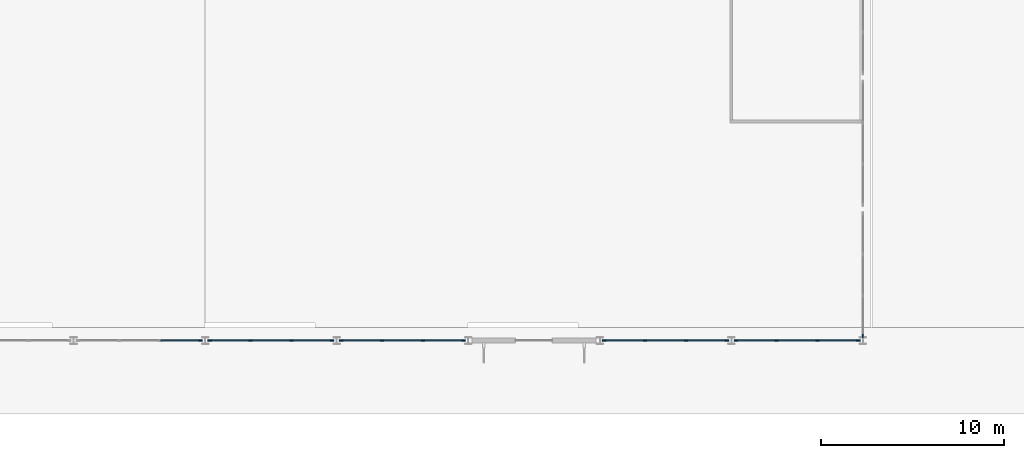
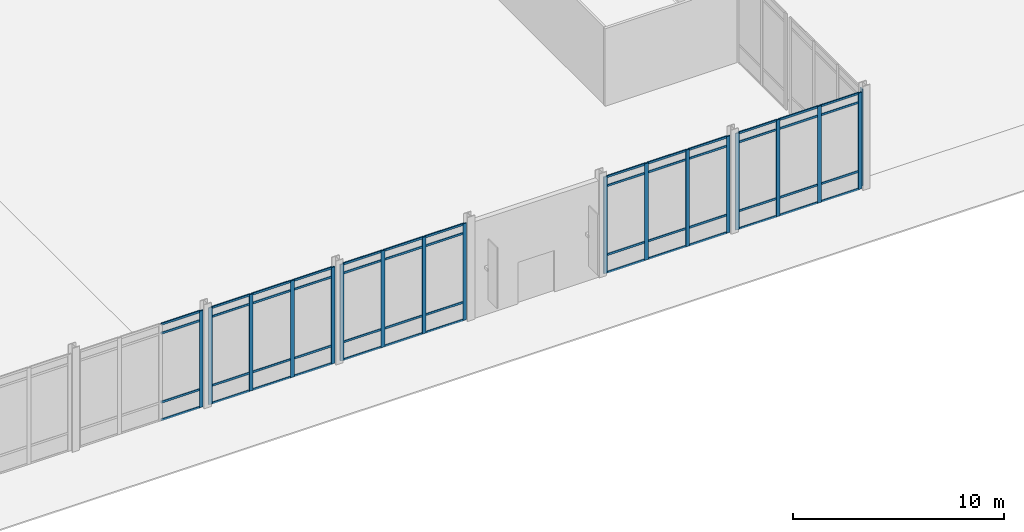
# One storey, part 24 of 104: 70 members, 6 elements without a shape of their own.
"""IFC4 building model written with IfcOpenShell, lengths in metres."""

from ifc_helpers import new_model, si_unit, direction, frame, origin, origin_2d, place, context, subcontext, project, spatial, rectangle, extrude, material, material_profile, profile_set, type_object, element, aggregate, save


model = new_model("IFC4")

# Units and contexts
model_context = context("Model", 3, precision=1e-05, world=origin(), true_north=direction((0.0, 1.0)))
body_context = subcontext(model_context, "Body", "Model", "MODEL_VIEW")
ifc_project = project(units=[si_unit("LENGTHUNIT", "METRE"), si_unit("AREAUNIT", "SQUARE_METRE"), si_unit("VOLUMEUNIT", "CUBIC_METRE"), si_unit("PLANEANGLEUNIT", "RADIAN"), si_unit("MASSUNIT", "GRAM", prefix="KILO")], contexts=[model_context])

# Site, building, storey
site_placement = place(None, origin())
site = spatial("IfcSite", under=ifc_project, at=site_placement, CompositionType="ELEMENT")
building_placement = place(site_placement, origin())
building = spatial("IfcBuilding", under=site, at=building_placement, Name="Vaelcorin Mobility Hub", CompositionType="ELEMENT")
storey_placement = place(building_placement, origin())
storey = spatial("IfcBuildingStorey", under=building, at=storey_placement, Name="L00", CompositionType="ELEMENT", Elevation=0.0)

# Curtain wall, member
ifc_material = material(Name="Anodised aluminium 6063-T6", Category="aluminium")
curtain_wall_type_1 = type_object("IfcCurtainWallType", Name="CW-CONC-A", PredefinedType="NOTDEFINED", material=ifc_material)
curtain_wall_1_placement = place(storey_placement, origin())
curtain_wall_1 = element("IfcCurtainWall", 1, at=curtain_wall_1_placement, inside=storey, type_object=curtain_wall_type_1, Name="L00 Curtain Wall CW-V1-S-05", PredefinedType="NOTDEFINED")
ifc_material_profile_1 = material_profile(ifc_material, rectangle(XDim=0.070068359375, YDim=0.199951171875, at=origin_2d()), Name="ALU-M70X200")
ifc_profile_set_1 = profile_set([ifc_material_profile_1], Name="Anodised aluminium 6063-T6")
member_type_1 = type_object("IfcMemberType", Name="CW-MULL-200", PredefinedType="MULLION", material=ifc_profile_set_1)
member_1_placement = place(storey_placement, frame((71.75, 6.0, 0.0), z_axis=(0.0, 0.0, 1.0), x_axis=(0.0, -1.0, 0.0)))
member_1 = element("IfcMember", 2, at=member_1_placement, type_object=member_type_1, Name="CW1 mullion 1", PredefinedType="MULLION", context=body_context, shape_type="SweptSolid", body=[
    extrude(rectangle(XDim=0.070068359375, YDim=0.199951171875, at=origin_2d()), origin(), (0.0, 0.0, 1.0), 5.580078125),
])

# Curtain wall, members
curtain_wall_2_placement = place(storey_placement, origin())
curtain_wall_2 = element("IfcCurtainWall", 3, at=curtain_wall_2_placement, inside=storey, type_object=curtain_wall_type_1, Name="L00 Curtain Wall CW-V1-S-06", PredefinedType="NOTDEFINED")
member_2_placement = place(storey_placement, frame((78.949951171875, 6.0, 0.0), z_axis=(0.0, 0.0, 1.0), x_axis=(0.0, -1.0, 0.0)))
member_2 = element("IfcMember", 4, at=member_2_placement, type_object=member_type_1, Name="CW1 mullion 1", PredefinedType="MULLION", context=body_context, shape_type="SweptSolid", body=[
    extrude(rectangle(XDim=0.070068359375, YDim=0.199951171875, at=origin_2d()), origin(), (0.0, 0.0, 1.0), 5.580078125),
])
member_3_placement = place(storey_placement, frame((76.7265625, 6.0, 0.0), z_axis=(0.0, 0.0, 1.0), x_axis=(0.0, -1.0, 0.0)))
member_3 = element("IfcMember", 5, at=member_3_placement, type_object=member_type_1, Name="CW1 mullion 2", PredefinedType="MULLION", context=body_context, shape_type="SweptSolid", body=[
    extrude(rectangle(XDim=0.070068359375, YDim=0.199951171875, at=origin_2d()), origin(), (0.0, 0.0, 1.0), 5.580078125),
])
member_4_placement = place(storey_placement, frame((74.473388671875, 6.0, 0.0), z_axis=(0.0, 0.0, 1.0), x_axis=(0.0, -1.0, 0.0)))
member_4 = element("IfcMember", 6, at=member_4_placement, type_object=member_type_1, Name="CW1 mullion 3", PredefinedType="MULLION", context=body_context, shape_type="SweptSolid", body=[
    extrude(rectangle(XDim=0.070068359375, YDim=0.199951171875, at=origin_2d()), origin(), (0.0, 0.0, 1.0), 5.580078125),
])
member_5_placement = place(storey_placement, frame((72.25, 6.0, 0.0), z_axis=(0.0, 0.0, 1.0), x_axis=(0.0, -1.0, 0.0)))
member_5 = element("IfcMember", 7, at=member_5_placement, type_object=member_type_1, Name="CW1 mullion 4", PredefinedType="MULLION", context=body_context, shape_type="SweptSolid", body=[
    extrude(rectangle(XDim=0.070068359375, YDim=0.199951171875, at=origin_2d()), origin(), (0.0, 0.0, 1.0), 5.580078125),
])

curtain_wall_3_placement = place(storey_placement, origin())
curtain_wall_3 = element("IfcCurtainWall", 8, at=curtain_wall_3_placement, inside=storey, type_object=curtain_wall_type_1, Name="L00 Curtain Wall CW-V1-S-07", PredefinedType="NOTDEFINED")
member_6_placement = place(storey_placement, frame((86.14990234375, 6.0, 0.0), z_axis=(0.0, 0.0, 1.0), x_axis=(0.0, -1.0, 0.0)))
member_6 = element("IfcMember", 9, at=member_6_placement, type_object=member_type_1, Name="CW1 mullion 1", PredefinedType="MULLION", context=body_context, shape_type="SweptSolid", body=[
    extrude(rectangle(XDim=0.070068359375, YDim=0.199951171875, at=origin_2d()), origin(), (0.0, 0.0, 1.0), 5.580078125),
])
member_7_placement = place(storey_placement, frame((83.9267578125, 6.0, 0.0), z_axis=(0.0, 0.0, 1.0), x_axis=(0.0, -1.0, 0.0)))
member_7 = element("IfcMember", 10, at=member_7_placement, type_object=member_type_1, Name="CW1 mullion 2", PredefinedType="MULLION", context=body_context, shape_type="SweptSolid", body=[
    extrude(rectangle(XDim=0.070068359375, YDim=0.199951171875, at=origin_2d()), origin(), (0.0, 0.0, 1.0), 5.580078125),
])
member_8_placement = place(storey_placement, frame((81.67333984375, 6.0, 0.0), z_axis=(0.0, 0.0, 1.0), x_axis=(0.0, -1.0, 0.0)))
member_8 = element("IfcMember", 11, at=member_8_placement, type_object=member_type_1, Name="CW1 mullion 3", PredefinedType="MULLION", context=body_context, shape_type="SweptSolid", body=[
    extrude(rectangle(XDim=0.070068359375, YDim=0.199951171875, at=origin_2d()), origin(), (0.0, 0.0, 1.0), 5.580078125),
])
member_9_placement = place(storey_placement, frame((79.449951171875, 6.0, 0.0), z_axis=(0.0, 0.0, 1.0), x_axis=(0.0, -1.0, 0.0)))
member_9 = element("IfcMember", 12, at=member_9_placement, type_object=member_type_1, Name="CW1 mullion 4", PredefinedType="MULLION", context=body_context, shape_type="SweptSolid", body=[
    extrude(rectangle(XDim=0.070068359375, YDim=0.199951171875, at=origin_2d()), origin(), (0.0, 0.0, 1.0), 5.580078125),
])

curtain_wall_4_placement = place(storey_placement, origin())
curtain_wall_4 = element("IfcCurtainWall", 13, at=curtain_wall_4_placement, inside=storey, type_object=curtain_wall_type_1, Name="L00 Curtain Wall CW-V1-S-09", PredefinedType="NOTDEFINED")
member_10_placement = place(storey_placement, frame((100.550048828125, 6.0, 0.0), z_axis=(0.0, 0.0, 1.0), x_axis=(0.0, -1.0, 0.0)))
member_10 = element("IfcMember", 14, at=member_10_placement, type_object=member_type_1, Name="CW1 mullion 1", PredefinedType="MULLION", context=body_context, shape_type="SweptSolid", body=[
    extrude(rectangle(XDim=0.070068359375, YDim=0.199951171875, at=origin_2d()), origin(), (0.0, 0.0, 1.0), 5.580078125),
])
member_11_placement = place(storey_placement, frame((98.32666015625, 6.0, 0.0), z_axis=(0.0, 0.0, 1.0), x_axis=(0.0, -1.0, 0.0)))
member_11 = element("IfcMember", 15, at=member_11_placement, type_object=member_type_1, Name="CW1 mullion 2", PredefinedType="MULLION", context=body_context, shape_type="SweptSolid", body=[
    extrude(rectangle(XDim=0.070068359375, YDim=0.199951171875, at=origin_2d()), origin(), (0.0, 0.0, 1.0), 5.580078125),
])
member_12_placement = place(storey_placement, frame((96.0732421875, 6.0, 0.0), z_axis=(0.0, 0.0, 1.0), x_axis=(0.0, -1.0, 0.0)))
member_12 = element("IfcMember", 16, at=member_12_placement, type_object=member_type_1, Name="CW1 mullion 3", PredefinedType="MULLION", context=body_context, shape_type="SweptSolid", body=[
    extrude(rectangle(XDim=0.070068359375, YDim=0.199951171875, at=origin_2d()), origin(), (0.0, 0.0, 1.0), 5.580078125),
])
member_13_placement = place(storey_placement, frame((93.85009765625, 6.0, 0.0), z_axis=(0.0, 0.0, 1.0), x_axis=(0.0, -1.0, 0.0)))
member_13 = element("IfcMember", 17, at=member_13_placement, type_object=member_type_1, Name="CW1 mullion 4", PredefinedType="MULLION", context=body_context, shape_type="SweptSolid", body=[
    extrude(rectangle(XDim=0.070068359375, YDim=0.199951171875, at=origin_2d()), origin(), (0.0, 0.0, 1.0), 5.580078125),
])

curtain_wall_5_placement = place(storey_placement, origin())
curtain_wall_5 = element("IfcCurtainWall", 18, at=curtain_wall_5_placement, inside=storey, type_object=curtain_wall_type_1, Name="L00 Curtain Wall CW-V1-S-10", PredefinedType="NOTDEFINED")
member_14_placement = place(storey_placement, frame((107.75, 6.0, 0.0), z_axis=(0.0, 0.0, 1.0), x_axis=(0.0, -1.0, 0.0)))
member_14 = element("IfcMember", 19, at=member_14_placement, type_object=member_type_1, Name="CW1 mullion 1", PredefinedType="MULLION", context=body_context, shape_type="SweptSolid", body=[
    extrude(rectangle(XDim=0.070068359375, YDim=0.199951171875, at=origin_2d()), origin(), (0.0, 0.0, 1.0), 5.580078125),
])
member_15_placement = place(storey_placement, frame((105.526611328125, 6.0, 0.0), z_axis=(0.0, 0.0, 1.0), x_axis=(0.0, -1.0, 0.0)))
member_15 = element("IfcMember", 20, at=member_15_placement, type_object=member_type_1, Name="CW1 mullion 2", PredefinedType="MULLION", context=body_context, shape_type="SweptSolid", body=[
    extrude(rectangle(XDim=0.070068359375, YDim=0.199951171875, at=origin_2d()), origin(), (0.0, 0.0, 1.0), 5.580078125),
])
member_16_placement = place(storey_placement, frame((103.2734375, 6.0, 0.0), z_axis=(0.0, 0.0, 1.0), x_axis=(0.0, -1.0, 0.0)))
member_16 = element("IfcMember", 21, at=member_16_placement, type_object=member_type_1, Name="CW1 mullion 3", PredefinedType="MULLION", context=body_context, shape_type="SweptSolid", body=[
    extrude(rectangle(XDim=0.070068359375, YDim=0.199951171875, at=origin_2d()), origin(), (0.0, 0.0, 1.0), 5.580078125),
])
member_17_placement = place(storey_placement, frame((101.050048828125, 6.0, 0.0), z_axis=(0.0, 0.0, 1.0), x_axis=(0.0, -1.0, 0.0)))
member_17 = element("IfcMember", 22, at=member_17_placement, type_object=member_type_1, Name="CW1 mullion 4", PredefinedType="MULLION", context=body_context, shape_type="SweptSolid", body=[
    extrude(rectangle(XDim=0.070068359375, YDim=0.199951171875, at=origin_2d()), origin(), (0.0, 0.0, 1.0), 5.580078125),
])

# Curtain wall, member
curtain_wall_type_2 = type_object("IfcCurtainWallType", Name="CW-CONC-B", PredefinedType="NOTDEFINED", material=ifc_material)
curtain_wall_6_placement = place(storey_placement, origin())
curtain_wall_6 = element("IfcCurtainWall", 23, at=curtain_wall_6_placement, inside=storey, type_object=curtain_wall_type_2, Name="L00 Curtain Wall CW-V1-E-01", PredefinedType="NOTDEFINED")
member_18_placement = place(storey_placement, frame((108.0, 6.25, 0.0), z_axis=(0.0, 0.0, 1.0), x_axis=(1.0, 0.0, 0.0)))
member_18 = element("IfcMember", 24, at=member_18_placement, type_object=member_type_1, Name="CW2 mullion 4", PredefinedType="MULLION", context=body_context, shape_type="SweptSolid", body=[
    extrude(rectangle(XDim=0.070068359375, YDim=0.199951171875, at=origin_2d()), origin(), (0.0, 0.0, 1.0), 5.580078125),
])
aggregate(curtain_wall_6, [member_18])

# Member
ifc_material_profile_2 = material_profile(ifc_material, rectangle(XDim=0.06005859375, YDim=0.1201171875, at=origin_2d()), Name="ALU-T60X120")
ifc_profile_set_2 = profile_set([ifc_material_profile_2], Name="Anodised aluminium 6063-T6")
member_type_2 = type_object("IfcMemberType", Name="CW-TRAN-140", PredefinedType="USERDEFINED", material=ifc_profile_set_2)
member_19_placement = place(storey_placement, frame((71.719970703125, 6.0, 0.030029296875), z_axis=(-1.0, 0.0, 0.0), x_axis=(0.0, -1.0, 0.0)))
member_19 = element("IfcMember", 25, at=member_19_placement, type_object=member_type_2, Name="CW1 transom 1.1", ObjectType="TRANSOM", PredefinedType="USERDEFINED", context=body_context, shape_type="SweptSolid", body=[
    extrude(rectangle(XDim=0.06005859375, YDim=0.1201171875, at=origin_2d()), origin(), (0.0, 0.0, 1.0), 2.163330078125),
])

member_20_placement = place(storey_placement, frame((71.719970703125, 6.0, 1.050048828125), z_axis=(-1.0, 0.0, 0.0), x_axis=(0.0, -1.0, 0.0)))
member_20 = element("IfcMember", 26, at=member_20_placement, type_object=member_type_2, Name="CW1 transom 1.2", ObjectType="TRANSOM", PredefinedType="USERDEFINED", context=body_context, shape_type="SweptSolid", body=[
    extrude(rectangle(XDim=0.06005859375, YDim=0.1201171875, at=origin_2d()), origin(), (0.0, 0.0, 1.0), 2.163330078125),
])

member_21_placement = place(storey_placement, frame((71.719970703125, 6.0, 5.030029296875), z_axis=(-1.0, 0.0, 0.0), x_axis=(0.0, -1.0, 0.0)))
member_21 = element("IfcMember", 27, at=member_21_placement, type_object=member_type_2, Name="CW1 transom 1.3", ObjectType="TRANSOM", PredefinedType="USERDEFINED", context=body_context, shape_type="SweptSolid", body=[
    extrude(rectangle(XDim=0.06005859375, YDim=0.1201171875, at=origin_2d()), origin(), (0.0, 0.0, 1.0), 2.163330078125),
])

member_22_placement = place(storey_placement, frame((71.719970703125, 6.0, 5.550048828125), z_axis=(-1.0, 0.0, 0.0), x_axis=(0.0, -1.0, 0.0)))
member_22 = element("IfcMember", 28, at=member_22_placement, type_object=member_type_2, Name="CW1 transom 1.4", ObjectType="TRANSOM", PredefinedType="USERDEFINED", context=body_context, shape_type="SweptSolid", body=[
    extrude(rectangle(XDim=0.06005859375, YDim=0.1201171875, at=origin_2d()), origin(), (0.0, 0.0, 1.0), 2.163330078125),
])

aggregate(curtain_wall_1, [member_1, member_19, member_20, member_21, member_22])

member_23_placement = place(storey_placement, frame((78.919921875, 6.0, 0.030029296875), z_axis=(-1.0, 0.0, 0.0), x_axis=(0.0, -1.0, 0.0)))
member_23 = element("IfcMember", 29, at=member_23_placement, type_object=member_type_2, Name="CW1 transom 1.1", ObjectType="TRANSOM", PredefinedType="USERDEFINED", context=body_context, shape_type="SweptSolid", body=[
    extrude(rectangle(XDim=0.06005859375, YDim=0.1201171875, at=origin_2d()), origin(), (0.0, 0.0, 1.0), 2.163330078125),
])

member_24_placement = place(storey_placement, frame((78.919921875, 6.0, 1.050048828125), z_axis=(-1.0, 0.0, 0.0), x_axis=(0.0, -1.0, 0.0)))
member_24 = element("IfcMember", 30, at=member_24_placement, type_object=member_type_2, Name="CW1 transom 1.2", ObjectType="TRANSOM", PredefinedType="USERDEFINED", context=body_context, shape_type="SweptSolid", body=[
    extrude(rectangle(XDim=0.06005859375, YDim=0.1201171875, at=origin_2d()), origin(), (0.0, 0.0, 1.0), 2.163330078125),
])

member_25_placement = place(storey_placement, frame((78.919921875, 6.0, 5.030029296875), z_axis=(-1.0, 0.0, 0.0), x_axis=(0.0, -1.0, 0.0)))
member_25 = element("IfcMember", 31, at=member_25_placement, type_object=member_type_2, Name="CW1 transom 1.3", ObjectType="TRANSOM", PredefinedType="USERDEFINED", context=body_context, shape_type="SweptSolid", body=[
    extrude(rectangle(XDim=0.06005859375, YDim=0.1201171875, at=origin_2d()), origin(), (0.0, 0.0, 1.0), 2.163330078125),
])

member_26_placement = place(storey_placement, frame((78.919921875, 6.0, 5.550048828125), z_axis=(-1.0, 0.0, 0.0), x_axis=(0.0, -1.0, 0.0)))
member_26 = element("IfcMember", 32, at=member_26_placement, type_object=member_type_2, Name="CW1 transom 1.4", ObjectType="TRANSOM", PredefinedType="USERDEFINED", context=body_context, shape_type="SweptSolid", body=[
    extrude(rectangle(XDim=0.06005859375, YDim=0.1201171875, at=origin_2d()), origin(), (0.0, 0.0, 1.0), 2.163330078125),
])

member_27_placement = place(storey_placement, frame((76.69677734375, 6.0, 0.030029296875), z_axis=(-1.0, 0.0, 0.0), x_axis=(0.0, -1.0, 0.0)))
member_27 = element("IfcMember", 33, at=member_27_placement, type_object=member_type_2, Name="CW1 transom 2.1", ObjectType="TRANSOM", PredefinedType="USERDEFINED", context=body_context, shape_type="SweptSolid", body=[
    extrude(rectangle(XDim=0.06005859375, YDim=0.1201171875, at=origin_2d()), origin(), (0.0, 0.0, 1.0), 2.193359375),
])

member_28_placement = place(storey_placement, frame((76.69677734375, 6.0, 1.050048828125), z_axis=(-1.0, 0.0, 0.0), x_axis=(0.0, -1.0, 0.0)))
member_28 = element("IfcMember", 34, at=member_28_placement, type_object=member_type_2, Name="CW1 transom 2.2", ObjectType="TRANSOM", PredefinedType="USERDEFINED", context=body_context, shape_type="SweptSolid", body=[
    extrude(rectangle(XDim=0.06005859375, YDim=0.1201171875, at=origin_2d()), origin(), (0.0, 0.0, 1.0), 2.193359375),
])

member_29_placement = place(storey_placement, frame((76.69677734375, 6.0, 5.030029296875), z_axis=(-1.0, 0.0, 0.0), x_axis=(0.0, -1.0, 0.0)))
member_29 = element("IfcMember", 35, at=member_29_placement, type_object=member_type_2, Name="CW1 transom 2.3", ObjectType="TRANSOM", PredefinedType="USERDEFINED", context=body_context, shape_type="SweptSolid", body=[
    extrude(rectangle(XDim=0.06005859375, YDim=0.1201171875, at=origin_2d()), origin(), (0.0, 0.0, 1.0), 2.193359375),
])

member_30_placement = place(storey_placement, frame((76.69677734375, 6.0, 5.550048828125), z_axis=(-1.0, 0.0, 0.0), x_axis=(0.0, -1.0, 0.0)))
member_30 = element("IfcMember", 36, at=member_30_placement, type_object=member_type_2, Name="CW1 transom 2.4", ObjectType="TRANSOM", PredefinedType="USERDEFINED", context=body_context, shape_type="SweptSolid", body=[
    extrude(rectangle(XDim=0.06005859375, YDim=0.1201171875, at=origin_2d()), origin(), (0.0, 0.0, 1.0), 2.193359375),
])

member_31_placement = place(storey_placement, frame((74.443359375, 6.0, 0.030029296875), z_axis=(-1.0, 0.0, 0.0), x_axis=(0.0, -1.0, 0.0)))
member_31 = element("IfcMember", 37, at=member_31_placement, type_object=member_type_2, Name="CW1 transom 3.1", ObjectType="TRANSOM", PredefinedType="USERDEFINED", context=body_context, shape_type="SweptSolid", body=[
    extrude(rectangle(XDim=0.06005859375, YDim=0.1201171875, at=origin_2d()), origin(), (0.0, 0.0, 1.0), 2.163330078125),
])

member_32_placement = place(storey_placement, frame((74.443359375, 6.0, 1.050048828125), z_axis=(-1.0, 0.0, 0.0), x_axis=(0.0, -1.0, 0.0)))
member_32 = element("IfcMember", 38, at=member_32_placement, type_object=member_type_2, Name="CW1 transom 3.2", ObjectType="TRANSOM", PredefinedType="USERDEFINED", context=body_context, shape_type="SweptSolid", body=[
    extrude(rectangle(XDim=0.06005859375, YDim=0.1201171875, at=origin_2d()), origin(), (0.0, 0.0, 1.0), 2.163330078125),
])

member_33_placement = place(storey_placement, frame((74.443359375, 6.0, 5.030029296875), z_axis=(-1.0, 0.0, 0.0), x_axis=(0.0, -1.0, 0.0)))
member_33 = element("IfcMember", 39, at=member_33_placement, type_object=member_type_2, Name="CW1 transom 3.3", ObjectType="TRANSOM", PredefinedType="USERDEFINED", context=body_context, shape_type="SweptSolid", body=[
    extrude(rectangle(XDim=0.06005859375, YDim=0.1201171875, at=origin_2d()), origin(), (0.0, 0.0, 1.0), 2.163330078125),
])

member_34_placement = place(storey_placement, frame((74.443359375, 6.0, 5.550048828125), z_axis=(-1.0, 0.0, 0.0), x_axis=(0.0, -1.0, 0.0)))
member_34 = element("IfcMember", 40, at=member_34_placement, type_object=member_type_2, Name="CW1 transom 3.4", ObjectType="TRANSOM", PredefinedType="USERDEFINED", context=body_context, shape_type="SweptSolid", body=[
    extrude(rectangle(XDim=0.06005859375, YDim=0.1201171875, at=origin_2d()), origin(), (0.0, 0.0, 1.0), 2.163330078125),
])

aggregate(curtain_wall_2, [member_2, member_3, member_4, member_5, member_23, member_24, member_25, member_26, member_27, member_28, member_29, member_30, member_31, member_32, member_33, member_34])

member_35_placement = place(storey_placement, frame((86.1201171875, 6.0, 0.030029296875), z_axis=(-1.0, 0.0, 0.0), x_axis=(0.0, -1.0, 0.0)))
member_35 = element("IfcMember", 41, at=member_35_placement, type_object=member_type_2, Name="CW1 transom 1.1", ObjectType="TRANSOM", PredefinedType="USERDEFINED", context=body_context, shape_type="SweptSolid", body=[
    extrude(rectangle(XDim=0.06005859375, YDim=0.1201171875, at=origin_2d()), origin(), (0.0, 0.0, 1.0), 2.163330078125),
])

member_36_placement = place(storey_placement, frame((86.1201171875, 6.0, 1.050048828125), z_axis=(-1.0, 0.0, 0.0), x_axis=(0.0, -1.0, 0.0)))
member_36 = element("IfcMember", 42, at=member_36_placement, type_object=member_type_2, Name="CW1 transom 1.2", ObjectType="TRANSOM", PredefinedType="USERDEFINED", context=body_context, shape_type="SweptSolid", body=[
    extrude(rectangle(XDim=0.06005859375, YDim=0.1201171875, at=origin_2d()), origin(), (0.0, 0.0, 1.0), 2.163330078125),
])

member_37_placement = place(storey_placement, frame((86.1201171875, 6.0, 5.030029296875), z_axis=(-1.0, 0.0, 0.0), x_axis=(0.0, -1.0, 0.0)))
member_37 = element("IfcMember", 43, at=member_37_placement, type_object=member_type_2, Name="CW1 transom 1.3", ObjectType="TRANSOM", PredefinedType="USERDEFINED", context=body_context, shape_type="SweptSolid", body=[
    extrude(rectangle(XDim=0.06005859375, YDim=0.1201171875, at=origin_2d()), origin(), (0.0, 0.0, 1.0), 2.163330078125),
])

member_38_placement = place(storey_placement, frame((86.1201171875, 6.0, 5.550048828125), z_axis=(-1.0, 0.0, 0.0), x_axis=(0.0, -1.0, 0.0)))
member_38 = element("IfcMember", 44, at=member_38_placement, type_object=member_type_2, Name="CW1 transom 1.4", ObjectType="TRANSOM", PredefinedType="USERDEFINED", context=body_context, shape_type="SweptSolid", body=[
    extrude(rectangle(XDim=0.06005859375, YDim=0.1201171875, at=origin_2d()), origin(), (0.0, 0.0, 1.0), 2.163330078125),
])

member_39_placement = place(storey_placement, frame((83.896728515625, 6.0, 0.030029296875), z_axis=(-1.0, 0.0, 0.0), x_axis=(0.0, -1.0, 0.0)))
member_39 = element("IfcMember", 45, at=member_39_placement, type_object=member_type_2, Name="CW1 transom 2.1", ObjectType="TRANSOM", PredefinedType="USERDEFINED", context=body_context, shape_type="SweptSolid", body=[
    extrude(rectangle(XDim=0.06005859375, YDim=0.1201171875, at=origin_2d()), origin(), (0.0, 0.0, 1.0), 2.193359375),
])

member_40_placement = place(storey_placement, frame((83.896728515625, 6.0, 1.050048828125), z_axis=(-1.0, 0.0, 0.0), x_axis=(0.0, -1.0, 0.0)))
member_40 = element("IfcMember", 46, at=member_40_placement, type_object=member_type_2, Name="CW1 transom 2.2", ObjectType="TRANSOM", PredefinedType="USERDEFINED", context=body_context, shape_type="SweptSolid", body=[
    extrude(rectangle(XDim=0.06005859375, YDim=0.1201171875, at=origin_2d()), origin(), (0.0, 0.0, 1.0), 2.193359375),
])

member_41_placement = place(storey_placement, frame((83.896728515625, 6.0, 5.030029296875), z_axis=(-1.0, 0.0, 0.0), x_axis=(0.0, -1.0, 0.0)))
member_41 = element("IfcMember", 47, at=member_41_placement, type_object=member_type_2, Name="CW1 transom 2.3", ObjectType="TRANSOM", PredefinedType="USERDEFINED", context=body_context, shape_type="SweptSolid", body=[
    extrude(rectangle(XDim=0.06005859375, YDim=0.1201171875, at=origin_2d()), origin(), (0.0, 0.0, 1.0), 2.193359375),
])

member_42_placement = place(storey_placement, frame((83.896728515625, 6.0, 5.550048828125), z_axis=(-1.0, 0.0, 0.0), x_axis=(0.0, -1.0, 0.0)))
member_42 = element("IfcMember", 48, at=member_42_placement, type_object=member_type_2, Name="CW1 transom 2.4", ObjectType="TRANSOM", PredefinedType="USERDEFINED", context=body_context, shape_type="SweptSolid", body=[
    extrude(rectangle(XDim=0.06005859375, YDim=0.1201171875, at=origin_2d()), origin(), (0.0, 0.0, 1.0), 2.193359375),
])

member_43_placement = place(storey_placement, frame((81.643310546875, 6.0, 0.030029296875), z_axis=(-1.0, 0.0, 0.0), x_axis=(0.0, -1.0, 0.0)))
member_43 = element("IfcMember", 49, at=member_43_placement, type_object=member_type_2, Name="CW1 transom 3.1", ObjectType="TRANSOM", PredefinedType="USERDEFINED", context=body_context, shape_type="SweptSolid", body=[
    extrude(rectangle(XDim=0.06005859375, YDim=0.1201171875, at=origin_2d()), origin(), (0.0, 0.0, 1.0), 2.163330078125),
])

member_44_placement = place(storey_placement, frame((81.643310546875, 6.0, 1.050048828125), z_axis=(-1.0, 0.0, 0.0), x_axis=(0.0, -1.0, 0.0)))
member_44 = element("IfcMember", 50, at=member_44_placement, type_object=member_type_2, Name="CW1 transom 3.2", ObjectType="TRANSOM", PredefinedType="USERDEFINED", context=body_context, shape_type="SweptSolid", body=[
    extrude(rectangle(XDim=0.06005859375, YDim=0.1201171875, at=origin_2d()), origin(), (0.0, 0.0, 1.0), 2.163330078125),
])

member_45_placement = place(storey_placement, frame((81.643310546875, 6.0, 5.030029296875), z_axis=(-1.0, 0.0, 0.0), x_axis=(0.0, -1.0, 0.0)))
member_45 = element("IfcMember", 51, at=member_45_placement, type_object=member_type_2, Name="CW1 transom 3.3", ObjectType="TRANSOM", PredefinedType="USERDEFINED", context=body_context, shape_type="SweptSolid", body=[
    extrude(rectangle(XDim=0.06005859375, YDim=0.1201171875, at=origin_2d()), origin(), (0.0, 0.0, 1.0), 2.163330078125),
])

member_46_placement = place(storey_placement, frame((81.643310546875, 6.0, 5.550048828125), z_axis=(-1.0, 0.0, 0.0), x_axis=(0.0, -1.0, 0.0)))
member_46 = element("IfcMember", 52, at=member_46_placement, type_object=member_type_2, Name="CW1 transom 3.4", ObjectType="TRANSOM", PredefinedType="USERDEFINED", context=body_context, shape_type="SweptSolid", body=[
    extrude(rectangle(XDim=0.06005859375, YDim=0.1201171875, at=origin_2d()), origin(), (0.0, 0.0, 1.0), 2.163330078125),
])

aggregate(curtain_wall_3, [member_6, member_7, member_8, member_9, member_35, member_36, member_37, member_38, member_39, member_40, member_41, member_42, member_43, member_44, member_45, member_46])

member_47_placement = place(storey_placement, frame((100.52001953125, 6.0, 0.030029296875), z_axis=(-1.0, 0.0, 0.0), x_axis=(0.0, -1.0, 0.0)))
member_47 = element("IfcMember", 53, at=member_47_placement, type_object=member_type_2, Name="CW1 transom 1.1", ObjectType="TRANSOM", PredefinedType="USERDEFINED", context=body_context, shape_type="SweptSolid", body=[
    extrude(rectangle(XDim=0.06005859375, YDim=0.1201171875, at=origin_2d()), origin(), (0.0, 0.0, 1.0), 2.163330078125),
])

member_48_placement = place(storey_placement, frame((100.52001953125, 6.0, 1.050048828125), z_axis=(-1.0, 0.0, 0.0), x_axis=(0.0, -1.0, 0.0)))
member_48 = element("IfcMember", 54, at=member_48_placement, type_object=member_type_2, Name="CW1 transom 1.2", ObjectType="TRANSOM", PredefinedType="USERDEFINED", context=body_context, shape_type="SweptSolid", body=[
    extrude(rectangle(XDim=0.06005859375, YDim=0.1201171875, at=origin_2d()), origin(), (0.0, 0.0, 1.0), 2.163330078125),
])

member_49_placement = place(storey_placement, frame((100.52001953125, 6.0, 5.030029296875), z_axis=(-1.0, 0.0, 0.0), x_axis=(0.0, -1.0, 0.0)))
member_49 = element("IfcMember", 55, at=member_49_placement, type_object=member_type_2, Name="CW1 transom 1.3", ObjectType="TRANSOM", PredefinedType="USERDEFINED", context=body_context, shape_type="SweptSolid", body=[
    extrude(rectangle(XDim=0.06005859375, YDim=0.1201171875, at=origin_2d()), origin(), (0.0, 0.0, 1.0), 2.163330078125),
])

member_50_placement = place(storey_placement, frame((100.52001953125, 6.0, 5.550048828125), z_axis=(-1.0, 0.0, 0.0), x_axis=(0.0, -1.0, 0.0)))
member_50 = element("IfcMember", 56, at=member_50_placement, type_object=member_type_2, Name="CW1 transom 1.4", ObjectType="TRANSOM", PredefinedType="USERDEFINED", context=body_context, shape_type="SweptSolid", body=[
    extrude(rectangle(XDim=0.06005859375, YDim=0.1201171875, at=origin_2d()), origin(), (0.0, 0.0, 1.0), 2.163330078125),
])

member_51_placement = place(storey_placement, frame((98.296630859375, 6.0, 0.030029296875), z_axis=(-1.0, 0.0, 0.0), x_axis=(0.0, -1.0, 0.0)))
member_51 = element("IfcMember", 57, at=member_51_placement, type_object=member_type_2, Name="CW1 transom 2.1", ObjectType="TRANSOM", PredefinedType="USERDEFINED", context=body_context, shape_type="SweptSolid", body=[
    extrude(rectangle(XDim=0.06005859375, YDim=0.1201171875, at=origin_2d()), origin(), (0.0, 0.0, 1.0), 2.193359375),
])

member_52_placement = place(storey_placement, frame((98.296630859375, 6.0, 1.050048828125), z_axis=(-1.0, 0.0, 0.0), x_axis=(0.0, -1.0, 0.0)))
member_52 = element("IfcMember", 58, at=member_52_placement, type_object=member_type_2, Name="CW1 transom 2.2", ObjectType="TRANSOM", PredefinedType="USERDEFINED", context=body_context, shape_type="SweptSolid", body=[
    extrude(rectangle(XDim=0.06005859375, YDim=0.1201171875, at=origin_2d()), origin(), (0.0, 0.0, 1.0), 2.193359375),
])

member_53_placement = place(storey_placement, frame((98.296630859375, 6.0, 5.030029296875), z_axis=(-1.0, 0.0, 0.0), x_axis=(0.0, -1.0, 0.0)))
member_53 = element("IfcMember", 59, at=member_53_placement, type_object=member_type_2, Name="CW1 transom 2.3", ObjectType="TRANSOM", PredefinedType="USERDEFINED", context=body_context, shape_type="SweptSolid", body=[
    extrude(rectangle(XDim=0.06005859375, YDim=0.1201171875, at=origin_2d()), origin(), (0.0, 0.0, 1.0), 2.193359375),
])

member_54_placement = place(storey_placement, frame((98.296630859375, 6.0, 5.550048828125), z_axis=(-1.0, 0.0, 0.0), x_axis=(0.0, -1.0, 0.0)))
member_54 = element("IfcMember", 60, at=member_54_placement, type_object=member_type_2, Name="CW1 transom 2.4", ObjectType="TRANSOM", PredefinedType="USERDEFINED", context=body_context, shape_type="SweptSolid", body=[
    extrude(rectangle(XDim=0.06005859375, YDim=0.1201171875, at=origin_2d()), origin(), (0.0, 0.0, 1.0), 2.193359375),
])

member_55_placement = place(storey_placement, frame((96.043212890625, 6.0, 0.030029296875), z_axis=(-1.0, 0.0, 0.0), x_axis=(0.0, -1.0, 0.0)))
member_55 = element("IfcMember", 61, at=member_55_placement, type_object=member_type_2, Name="CW1 transom 3.1", ObjectType="TRANSOM", PredefinedType="USERDEFINED", context=body_context, shape_type="SweptSolid", body=[
    extrude(rectangle(XDim=0.06005859375, YDim=0.1201171875, at=origin_2d()), origin(), (0.0, 0.0, 1.0), 2.163330078125),
])

member_56_placement = place(storey_placement, frame((96.043212890625, 6.0, 1.050048828125), z_axis=(-1.0, 0.0, 0.0), x_axis=(0.0, -1.0, 0.0)))
member_56 = element("IfcMember", 62, at=member_56_placement, type_object=member_type_2, Name="CW1 transom 3.2", ObjectType="TRANSOM", PredefinedType="USERDEFINED", context=body_context, shape_type="SweptSolid", body=[
    extrude(rectangle(XDim=0.06005859375, YDim=0.1201171875, at=origin_2d()), origin(), (0.0, 0.0, 1.0), 2.163330078125),
])

member_57_placement = place(storey_placement, frame((96.043212890625, 6.0, 5.030029296875), z_axis=(-1.0, 0.0, 0.0), x_axis=(0.0, -1.0, 0.0)))
member_57 = element("IfcMember", 63, at=member_57_placement, type_object=member_type_2, Name="CW1 transom 3.3", ObjectType="TRANSOM", PredefinedType="USERDEFINED", context=body_context, shape_type="SweptSolid", body=[
    extrude(rectangle(XDim=0.06005859375, YDim=0.1201171875, at=origin_2d()), origin(), (0.0, 0.0, 1.0), 2.163330078125),
])

member_58_placement = place(storey_placement, frame((96.043212890625, 6.0, 5.550048828125), z_axis=(-1.0, 0.0, 0.0), x_axis=(0.0, -1.0, 0.0)))
member_58 = element("IfcMember", 64, at=member_58_placement, type_object=member_type_2, Name="CW1 transom 3.4", ObjectType="TRANSOM", PredefinedType="USERDEFINED", context=body_context, shape_type="SweptSolid", body=[
    extrude(rectangle(XDim=0.06005859375, YDim=0.1201171875, at=origin_2d()), origin(), (0.0, 0.0, 1.0), 2.163330078125),
])

aggregate(curtain_wall_4, [member_10, member_11, member_12, member_13, member_47, member_48, member_49, member_50, member_51, member_52, member_53, member_54, member_55, member_56, member_57, member_58])

member_59_placement = place(storey_placement, frame((107.719970703125, 6.0, 0.030029296875), z_axis=(-1.0, 0.0, 0.0), x_axis=(0.0, -1.0, 0.0)))
member_59 = element("IfcMember", 65, at=member_59_placement, type_object=member_type_2, Name="CW1 transom 1.1", ObjectType="TRANSOM", PredefinedType="USERDEFINED", context=body_context, shape_type="SweptSolid", body=[
    extrude(rectangle(XDim=0.06005859375, YDim=0.1201171875, at=origin_2d()), origin(), (0.0, 0.0, 1.0), 2.163330078125),
])

member_60_placement = place(storey_placement, frame((107.719970703125, 6.0, 1.050048828125), z_axis=(-1.0, 0.0, 0.0), x_axis=(0.0, -1.0, 0.0)))
member_60 = element("IfcMember", 66, at=member_60_placement, type_object=member_type_2, Name="CW1 transom 1.2", ObjectType="TRANSOM", PredefinedType="USERDEFINED", context=body_context, shape_type="SweptSolid", body=[
    extrude(rectangle(XDim=0.06005859375, YDim=0.1201171875, at=origin_2d()), origin(), (0.0, 0.0, 1.0), 2.163330078125),
])

member_61_placement = place(storey_placement, frame((107.719970703125, 6.0, 5.030029296875), z_axis=(-1.0, 0.0, 0.0), x_axis=(0.0, -1.0, 0.0)))
member_61 = element("IfcMember", 67, at=member_61_placement, type_object=member_type_2, Name="CW1 transom 1.3", ObjectType="TRANSOM", PredefinedType="USERDEFINED", context=body_context, shape_type="SweptSolid", body=[
    extrude(rectangle(XDim=0.06005859375, YDim=0.1201171875, at=origin_2d()), origin(), (0.0, 0.0, 1.0), 2.163330078125),
])

member_62_placement = place(storey_placement, frame((107.719970703125, 6.0, 5.550048828125), z_axis=(-1.0, 0.0, 0.0), x_axis=(0.0, -1.0, 0.0)))
member_62 = element("IfcMember", 68, at=member_62_placement, type_object=member_type_2, Name="CW1 transom 1.4", ObjectType="TRANSOM", PredefinedType="USERDEFINED", context=body_context, shape_type="SweptSolid", body=[
    extrude(rectangle(XDim=0.06005859375, YDim=0.1201171875, at=origin_2d()), origin(), (0.0, 0.0, 1.0), 2.163330078125),
])

member_63_placement = place(storey_placement, frame((105.49658203125, 6.0, 0.030029296875), z_axis=(-1.0, 0.0, 0.0), x_axis=(0.0, -1.0, 0.0)))
member_63 = element("IfcMember", 69, at=member_63_placement, type_object=member_type_2, Name="CW1 transom 2.1", ObjectType="TRANSOM", PredefinedType="USERDEFINED", context=body_context, shape_type="SweptSolid", body=[
    extrude(rectangle(XDim=0.06005859375, YDim=0.1201171875, at=origin_2d()), origin(), (0.0, 0.0, 1.0), 2.193359375),
])

member_64_placement = place(storey_placement, frame((105.49658203125, 6.0, 1.050048828125), z_axis=(-1.0, 0.0, 0.0), x_axis=(0.0, -1.0, 0.0)))
member_64 = element("IfcMember", 70, at=member_64_placement, type_object=member_type_2, Name="CW1 transom 2.2", ObjectType="TRANSOM", PredefinedType="USERDEFINED", context=body_context, shape_type="SweptSolid", body=[
    extrude(rectangle(XDim=0.06005859375, YDim=0.1201171875, at=origin_2d()), origin(), (0.0, 0.0, 1.0), 2.193359375),
])

member_65_placement = place(storey_placement, frame((105.49658203125, 6.0, 5.030029296875), z_axis=(-1.0, 0.0, 0.0), x_axis=(0.0, -1.0, 0.0)))
member_65 = element("IfcMember", 71, at=member_65_placement, type_object=member_type_2, Name="CW1 transom 2.3", ObjectType="TRANSOM", PredefinedType="USERDEFINED", context=body_context, shape_type="SweptSolid", body=[
    extrude(rectangle(XDim=0.06005859375, YDim=0.1201171875, at=origin_2d()), origin(), (0.0, 0.0, 1.0), 2.193359375),
])

member_66_placement = place(storey_placement, frame((105.49658203125, 6.0, 5.550048828125), z_axis=(-1.0, 0.0, 0.0), x_axis=(0.0, -1.0, 0.0)))
member_66 = element("IfcMember", 72, at=member_66_placement, type_object=member_type_2, Name="CW1 transom 2.4", ObjectType="TRANSOM", PredefinedType="USERDEFINED", context=body_context, shape_type="SweptSolid", body=[
    extrude(rectangle(XDim=0.06005859375, YDim=0.1201171875, at=origin_2d()), origin(), (0.0, 0.0, 1.0), 2.193359375),
])

member_67_placement = place(storey_placement, frame((103.243408203125, 6.0, 0.030029296875), z_axis=(-1.0, 0.0, 0.0), x_axis=(0.0, -1.0, 0.0)))
member_67 = element("IfcMember", 73, at=member_67_placement, type_object=member_type_2, Name="CW1 transom 3.1", ObjectType="TRANSOM", PredefinedType="USERDEFINED", context=body_context, shape_type="SweptSolid", body=[
    extrude(rectangle(XDim=0.06005859375, YDim=0.1201171875, at=origin_2d()), origin(), (0.0, 0.0, 1.0), 2.163330078125),
])

member_68_placement = place(storey_placement, frame((103.243408203125, 6.0, 1.050048828125), z_axis=(-1.0, 0.0, 0.0), x_axis=(0.0, -1.0, 0.0)))
member_68 = element("IfcMember", 74, at=member_68_placement, type_object=member_type_2, Name="CW1 transom 3.2", ObjectType="TRANSOM", PredefinedType="USERDEFINED", context=body_context, shape_type="SweptSolid", body=[
    extrude(rectangle(XDim=0.06005859375, YDim=0.1201171875, at=origin_2d()), origin(), (0.0, 0.0, 1.0), 2.163330078125),
])

member_69_placement = place(storey_placement, frame((103.243408203125, 6.0, 5.030029296875), z_axis=(-1.0, 0.0, 0.0), x_axis=(0.0, -1.0, 0.0)))
member_69 = element("IfcMember", 75, at=member_69_placement, type_object=member_type_2, Name="CW1 transom 3.3", ObjectType="TRANSOM", PredefinedType="USERDEFINED", context=body_context, shape_type="SweptSolid", body=[
    extrude(rectangle(XDim=0.06005859375, YDim=0.1201171875, at=origin_2d()), origin(), (0.0, 0.0, 1.0), 2.163330078125),
])

member_70_placement = place(storey_placement, frame((103.243408203125, 6.0, 5.550048828125), z_axis=(-1.0, 0.0, 0.0), x_axis=(0.0, -1.0, 0.0)))
member_70 = element("IfcMember", 76, at=member_70_placement, type_object=member_type_2, Name="CW1 transom 3.4", ObjectType="TRANSOM", PredefinedType="USERDEFINED", context=body_context, shape_type="SweptSolid", body=[
    extrude(rectangle(XDim=0.06005859375, YDim=0.1201171875, at=origin_2d()), origin(), (0.0, 0.0, 1.0), 2.163330078125),
])

aggregate(curtain_wall_5, [member_14, member_15, member_16, member_17, member_59, member_60, member_61, member_62, member_63, member_64, member_65, member_66, member_67, member_68, member_69, member_70])

save(model, "model.ifc")
